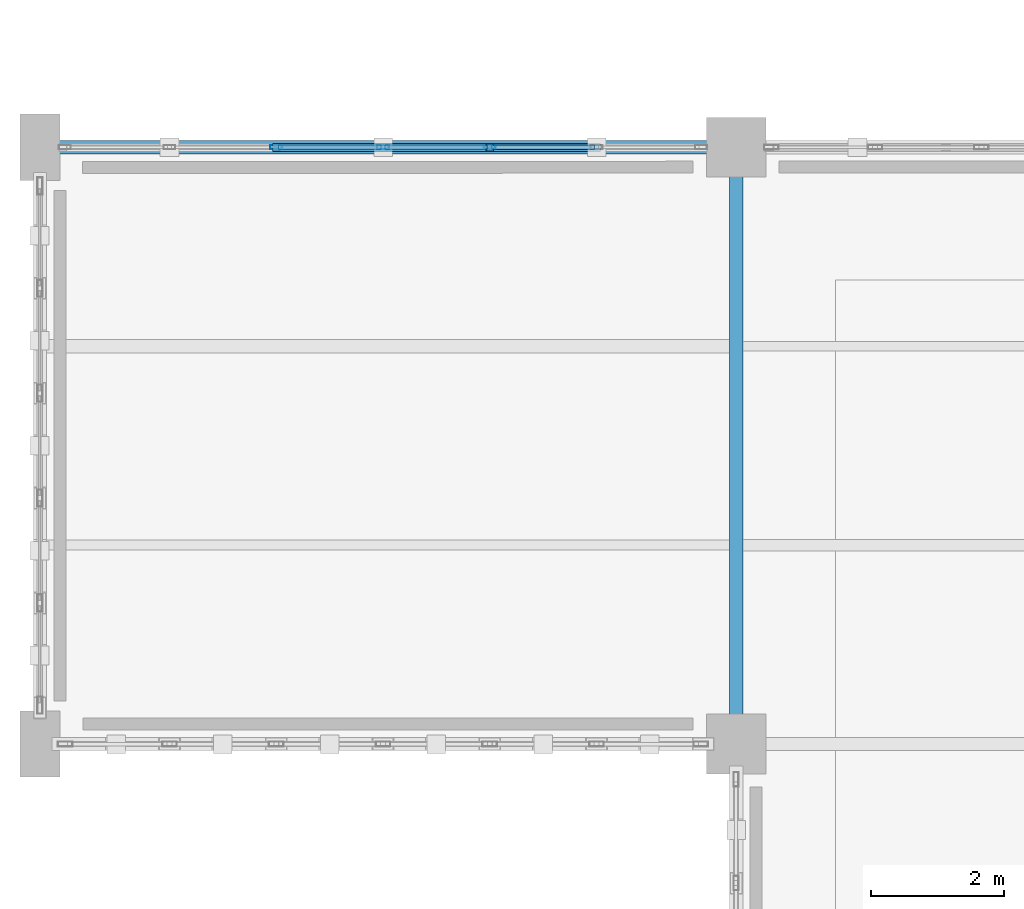
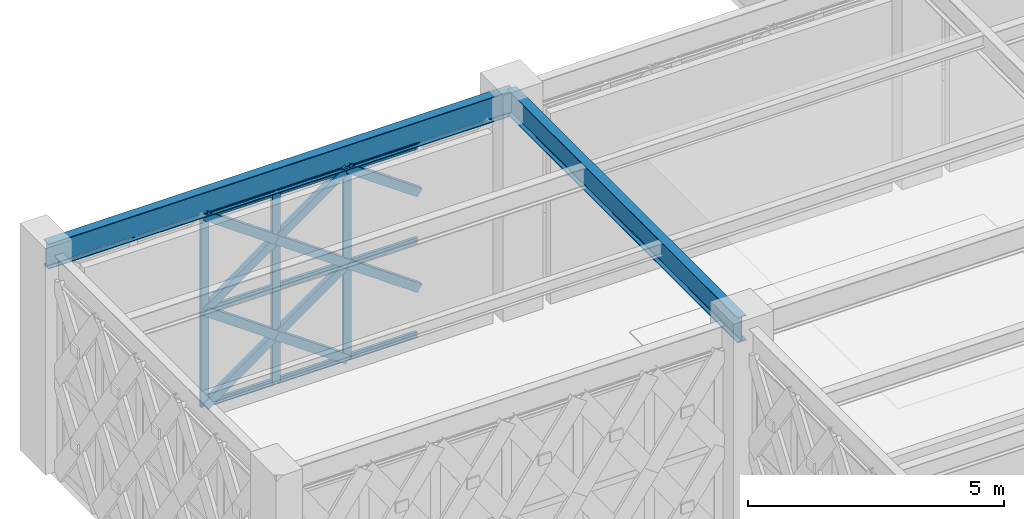
# One storey, part 21 of 155: 20 members, 2 beams, 1 element without a shape of its own.
"""IFC4 building model written with IfcOpenShell, lengths in metres."""

import ifcopenshell
import ifcopenshell.guid

model = None  # the IFC model being written
_history = None  # IfcOwnerHistory: only IFC2X3 demands one
_inside = {}  # id of a spatial element -> (the spatial element, [elements in it])
_under = {}  # id of a project, library or spatial element -> (it, [spatial elements below it])
_declared = {}  # id of a project -> (the project, [libraries it declares])
_typed = {}  # id of a type object -> (the type object, [elements of that type])
_made_of = {}  # id of a material, layer set ... -> (it, [elements and type objects made of it])


def new_model(schema):
    """Start an empty IFC model of exactly this schema.

    Asked for "IFC4X3", IfcOpenShell would pick the latest addendum, in which some entities
    have other attributes; the version numbers below select the first issue.
    IFC2X3 requires an IfcOwnerHistory on every rooted entity: one is made here for all.
    """
    global model, _history
    if schema == "IFC4X3":
        model = ifcopenshell.file(schema_version=(4, 3, 0, 0))
    else:
        model = ifcopenshell.file(schema=schema)
    _inside.clear()
    _under.clear()
    _declared.clear()
    _typed.clear()
    _made_of.clear()
    _history = None
    if model.schema == "IFC2X3":
        org = make("IfcOrganization", Name="unknown")
        user = make(
            "IfcPersonAndOrganization",
            ThePerson=make("IfcPerson", FamilyName="unknown"),
            TheOrganization=org,
        )
        app = make(
            "IfcApplication",
            ApplicationDeveloper=org,
            Version="unknown",
            ApplicationFullName="unknown",
            ApplicationIdentifier="unknown",
        )
        _history = make(
            "IfcOwnerHistory",
            OwningUser=user,
            OwningApplication=app,
            ChangeAction="ADDED",
            CreationDate=0,
        )
    return model


def make(cls, **values):
    """One entity of the class cls with the attributes given. An attribute that is None is left unset."""
    return model.create_entity(
        cls, **{name: value for name, value in values.items() if value is not None}
    )


def rooted(cls, **values):
    """An entity with a GlobalId (a new one), such as an element, a storey or a relation."""
    return make(cls, GlobalId=ifcopenshell.guid.new(), OwnerHistory=_history, **values)


def si_unit(unit_type, name, prefix=None):
    """IfcSIUnit, for example si_unit("LENGTHUNIT", "METRE", prefix="MILLI")."""
    return make("IfcSIUnit", UnitType=unit_type, Prefix=prefix, Name=name)


def assignment(units):
    """IfcUnitAssignment: the units of a project."""
    return None if units is None else make("IfcUnitAssignment", Units=units)


def point(xyz):
    """IfcCartesianPoint."""
    return None if xyz is None else make("IfcCartesianPoint", Coordinates=xyz)


def direction(xyz):
    """IfcDirection."""
    return None if xyz is None else make("IfcDirection", DirectionRatios=xyz)


def frame(location, z_axis=None, x_axis=None):
    """IfcAxis2Placement3D, a coordinate frame: its origin and axes. An axis left out is left unset."""
    return make(
        "IfcAxis2Placement3D",
        Location=point(location),
        Axis=direction(z_axis),
        RefDirection=direction(x_axis),
    )


def frame_2d(location, x_axis=None):
    """IfcAxis2Placement2D, a coordinate frame in the plane: its origin and x axis."""
    return make(
        "IfcAxis2Placement2D", Location=point(location), RefDirection=direction(x_axis)
    )


def origin():
    """The frame at (0, 0, 0) with its axes left unset."""
    return frame((0.0, 0.0, 0.0))


def origin_2d():
    """The frame at (0, 0) in the plane with its x axis left unset."""
    return frame_2d((0.0, 0.0))


def place(relative_to, where):
    """IfcLocalPlacement: puts the frame where relative to a parent placement (None: the world)."""
    return make(
        "IfcLocalPlacement", PlacementRelTo=relative_to, RelativePlacement=where
    )


def context(
    kind, dimensions, precision=None, world=None, true_north=None, identifier=None
):
    """IfcGeometricRepresentationContext, for example the 3D "Model" context."""
    return make(
        "IfcGeometricRepresentationContext",
        ContextIdentifier=identifier,
        ContextType=kind,
        CoordinateSpaceDimension=dimensions,
        Precision=precision,
        WorldCoordinateSystem=world,
        TrueNorth=true_north,
    )


def subcontext(parent, identifier, kind, view, scale=None):
    """IfcGeometricRepresentationSubContext, for example "Body" below "Model"."""
    return make(
        "IfcGeometricRepresentationSubContext",
        ContextIdentifier=identifier,
        ContextType=kind,
        ParentContext=parent,
        TargetScale=scale,
        TargetView=view,
    )


def project(units=None, contexts=None):
    """IfcProject with its units and contexts."""
    return rooted(
        "IfcProject",
        Name="project",
        RepresentationContexts=contexts,
        UnitsInContext=assignment(units),
    )


def spatial(cls, under=None, at=None, **own):
    """A site, building, storey or space (cls), placed at a placement, below another one or the project."""
    s = rooted(cls, ObjectPlacement=at, **own)
    if under is not None:
        _under.setdefault(under.id(), (under, []))[1].append(s)
    return s


def profile(cls, at=None, kind="AREA", **sizes):
    """A parametric profile (cls). Its sizes go by their IFC names, for example OverallWidth=200.0."""
    return make(cls, ProfileType=kind, Position=at, **sizes)


def hollow_rectangle(**sizes):
    """IfcRectangleHollowProfileDef."""
    return profile("IfcRectangleHollowProfileDef", **sizes)


def i_section(**sizes):
    """IfcIShapeProfileDef."""
    return profile("IfcIShapeProfileDef", **sizes)


def extrude(swept, where, along, depth):
    """IfcExtrudedAreaSolid: the profile swept, set in the frame where, extruded along a direction by depth."""
    return make(
        "IfcExtrudedAreaSolid",
        SweptArea=swept,
        Position=where,
        ExtrudedDirection=direction(along),
        Depth=depth,
    )


def shape(context_of_items, identifier, shape_type, items):
    """IfcShapeRepresentation: the items that make up one representation, for example the "Body"."""
    return make(
        "IfcShapeRepresentation",
        ContextOfItems=context_of_items,
        RepresentationIdentifier=identifier,
        RepresentationType=shape_type,
        Items=items,
    )


def material(Name=None, Category=None):
    """IfcMaterial."""
    return make("IfcMaterial", Name=Name, Category=Category)


def material_profile(
    of_material, cross_section, Name=None, Category=None, Priority=None
):
    """IfcMaterialProfile: a cross section and its material."""
    return make(
        "IfcMaterialProfile",
        Name=Name,
        Material=of_material,
        Profile=cross_section,
        Priority=Priority,
        Category=Category,
    )


def profile_set(profiles, Name=None, composite=None):
    """IfcMaterialProfileSet."""
    return make(
        "IfcMaterialProfileSet",
        Name=Name,
        MaterialProfiles=profiles,
        CompositeProfile=composite,
    )


def made_of(thing, what):
    """Note that an element or type object is made of a material, layer set ...; save() writes the relation."""
    if what is not None:
        _made_of.setdefault(what.id(), (what, []))[1].append(thing)
    return thing


def type_object(cls, material=None, **own):
    """A type object (cls), such as IfcWallType, which elements share."""
    return made_of(rooted(cls, **own), material)


def element(
    cls,
    number,
    at=None,
    inside=None,
    cuts=None,
    type_object=None,
    material=None,
    context=None,
    identifier="Body",
    shape_type=None,
    held_by="IfcProductDefinitionShape",
    body=None,
    shapes=None,
    **own,
):
    """One element of the class cls, such as IfcWall. Its Tag is "e" and its number.

    at: its placement. inside: the storey or other place that contains it. cuts: it is an
    opening in that element (IfcRelVoidsElement). A single representation is given by context,
    identifier, shape_type and body (its items); several are given by shapes. held_by: the class
    of the entity that holds the representations. save() writes the other relations.
    """
    e = rooted(cls, Tag="e%d" % number, ObjectPlacement=at, **own)
    if body is not None:
        shapes = [shape(context, identifier, shape_type, body)]
    if shapes is not None:
        e.Representation = make(held_by, Representations=shapes)
    if inside is not None:
        _inside.setdefault(inside.id(), (inside, []))[1].append(e)
    if cuts is not None:
        rooted(
            "IfcRelVoidsElement", RelatingBuildingElement=cuts, RelatedOpeningElement=e
        )
    if type_object is not None:
        _typed.setdefault(type_object.id(), (type_object, []))[1].append(e)
    return made_of(e, material)


def aggregate(whole, parts):
    """IfcRelAggregates: a whole, such as a stair, and the parts it consists of."""
    return rooted("IfcRelAggregates", RelatingObject=whole, RelatedObjects=parts)


def save(model, path):
    """Write the relations noted so far, then the file.

    IfcRelAggregates (storeys below a building ...), IfcRelContainedInSpatialStructure (elements
    in a storey), IfcRelDefinesByType, IfcRelAssociatesMaterial and IfcRelDeclares: one each for
    every whole, place, type object, material and project.
    """
    for whole, parts in _under.values():
        aggregate(whole, parts)
    for where, things in _inside.values():
        rooted(
            "IfcRelContainedInSpatialStructure",
            RelatedElements=things,
            RelatingStructure=where,
        )
    for kind, things in _typed.values():
        rooted("IfcRelDefinesByType", RelatedObjects=things, RelatingType=kind)
    for what, things in _made_of.values():
        rooted("IfcRelAssociatesMaterial", RelatedObjects=things, RelatingMaterial=what)
    for by, libraries in _declared.values():
        rooted("IfcRelDeclares", RelatingContext=by, RelatedDefinitions=libraries)
    model.write(path)


model = new_model("IFC4")

# Units and contexts
model_context = context("Model", 3, precision=1e-05, world=origin(), true_north=direction((0.0, 1.0)))
body_context = subcontext(model_context, "Body", "Model", "MODEL_VIEW")
ifc_project = project(units=[si_unit("LENGTHUNIT", "METRE"), si_unit("AREAUNIT", "SQUARE_METRE"), si_unit("VOLUMEUNIT", "CUBIC_METRE"), si_unit("PLANEANGLEUNIT", "RADIAN"), si_unit("MASSUNIT", "GRAM", prefix="KILO")], contexts=[model_context])

# Site, building, storey
site_placement = place(None, origin())
site = spatial("IfcSite", under=ifc_project, at=site_placement, CompositionType="ELEMENT")
building_placement = place(site_placement, origin())
building = spatial("IfcBuilding", under=site, at=building_placement, Name="Haizhuo Lancet Aquarium", CompositionType="ELEMENT")
storey_placement = place(building_placement, frame((0.0, 0.0, 10.800048828125)))
storey = spatial("IfcBuildingStorey", under=building, at=storey_placement, Name="L02", CompositionType="ELEMENT", Elevation=10.800048828125)

# Beams
ifc_material_1 = material(Name="Steel S355", Category="steel")
ifc_material_profile_1 = material_profile(ifc_material_1, i_section(OverallWidth=0.199951171875, OverallDepth=0.60009765625, WebThickness=0.010986328125, FlangeThickness=0.01708984375, FilletRadius=0.02197265625, at=origin_2d()), Name="HN 600x200x11x17")
ifc_profile_set_1 = profile_set([ifc_material_profile_1], Name="Steel S355")
beam_type = type_object("IfcBeamType", Name="BM-ST-HN600", PredefinedType="BEAM", material=ifc_profile_set_1)
beam_1_placement = place(storey_placement, frame((-82.5, -9.0, 4.85986328125), z_axis=(1.0, 0.0, 0.0), x_axis=(0.0, 1.0, 0.0)))
element("IfcBeam", 1, at=beam_1_placement, inside=storey, type_object=beam_type, Name="L02 V6 primary girder BM-L02-V6-003", PredefinedType="BEAM", context=body_context, shape_type="SweptSolid", body=[
    extrude(i_section(OverallWidth=0.199951171875, OverallDepth=0.60009765625, WebThickness=0.010986328125, FlangeThickness=0.01708984375, FilletRadius=0.02197265625, at=origin_2d()), origin(), (0.0, 0.0, 1.0), 10.5),
])
beam_2_placement = place(storey_placement, frame((-72.0, -18.0, 4.85986328125), z_axis=(0.0, 1.0, 0.0), x_axis=(-1.0, 0.0, 0.0)))
element("IfcBeam", 2, at=beam_2_placement, inside=storey, type_object=beam_type, Name="L02 V6 primary girder BM-L02-V6-006", PredefinedType="BEAM", context=body_context, shape_type="SweptSolid", body=[
    extrude(i_section(OverallWidth=0.199951171875, OverallDepth=0.60009765625, WebThickness=0.010986328125, FlangeThickness=0.01708984375, FilletRadius=0.02197265625, at=origin_2d()), origin(), (0.0, 0.0, 1.0), 9.0),
])

# Curtain wall, members
ifc_material_2 = material(Name="Aluminium 6063-T6", Category="aluminium")
curtain_wall_type = type_object("IfcCurtainWallType", Name="CWO-9660x4560", PredefinedType="NOTDEFINED", material=ifc_material_2)
curtain_wall_placement = place(storey_placement, origin())
curtain_wall = element("IfcCurtainWall", 3, at=curtain_wall_placement, inside=storey, type_object=curtain_wall_type, Name="L02 curtain wall CW-V6-L02-214", PredefinedType="NOTDEFINED")
ifc_material_profile_2 = material_profile(ifc_material_2, hollow_rectangle(XDim=0.06494140625, YDim=0.179931640625, WallThickness=0.00390625, at=origin_2d()), Name="ALU-M 65x180x4")
ifc_profile_set_2 = profile_set([ifc_material_profile_2], Name="Aluminium 6063-T6")
member_type_1 = type_object("IfcMemberType", Name="CW-MUL-1", PredefinedType="MULLION", material=ifc_profile_set_2)
member_1_placement = place(storey_placement, frame((-78.93505859375, -9.0, 0.0), z_axis=(0.0, 0.0, 1.0), x_axis=(0.0, 1.0, 0.0)))
member_1 = element("IfcMember", 4, at=member_1_placement, type_object=member_type_1, Name="CWO-96x45 mullion 3", PredefinedType="MULLION", context=body_context, shape_type="SweptSolid", body=[
    extrude(hollow_rectangle(XDim=0.06494140625, YDim=0.179931640625, WallThickness=0.00390625, at=origin_2d()), origin(), (0.0, 0.0, 1.0), 4.56005859375),
])
member_2_placement = place(storey_placement, frame((-77.324951171875, -9.0, 0.0), z_axis=(0.0, 0.0, 1.0), x_axis=(0.0, 1.0, 0.0)))
member_2 = element("IfcMember", 5, at=member_2_placement, type_object=member_type_1, Name="CWO-96x45 mullion 4", PredefinedType="MULLION", context=body_context, shape_type="SweptSolid", body=[
    extrude(hollow_rectangle(XDim=0.06494140625, YDim=0.179931640625, WallThickness=0.00390625, at=origin_2d()), origin(), (0.0, 0.0, 1.0), 4.56005859375),
])
member_3_placement = place(storey_placement, frame((-75.715087890625, -9.0, 0.0), z_axis=(0.0, 0.0, 1.0), x_axis=(0.0, 1.0, 0.0)))
member_3 = element("IfcMember", 6, at=member_3_placement, type_object=member_type_1, Name="CWO-96x45 mullion 5", PredefinedType="MULLION", context=body_context, shape_type="SweptSolid", body=[
    extrude(hollow_rectangle(XDim=0.06494140625, YDim=0.179931640625, WallThickness=0.00390625, at=origin_2d()), origin(), (0.0, 0.0, 1.0), 4.56005859375),
])
ifc_material_profile_3 = material_profile(ifc_material_2, hollow_rectangle(XDim=0.06494140625, YDim=0.139892578125, WallThickness=0.00390625, at=origin_2d()), Name="ALU-T 65x140x4")
ifc_profile_set_3 = profile_set([ifc_material_profile_3], Name="Aluminium 6063-T6")
member_type_2 = type_object("IfcMemberType", Name="CW-TRN-1", PredefinedType="NOTDEFINED", material=ifc_profile_set_3)
member_4_placement = place(storey_placement, frame((-78.903076171875, -9.0, 0.032958984375), z_axis=(1.0, 0.0, 0.0), x_axis=(0.0, 1.0, 0.0)))
member_4 = element("IfcMember", 7, at=member_4_placement, type_object=member_type_2, Name="CWO-96x45 transom 3.1", ObjectType="TRANSOM", PredefinedType="USERDEFINED", context=body_context, shape_type="SweptSolid", body=[
    extrude(hollow_rectangle(XDim=0.06494140625, YDim=0.139892578125, WallThickness=0.00390625, at=origin_2d()), origin(), (0.0, 0.0, 1.0), 1.545166015625),
])
member_5_placement = place(storey_placement, frame((-78.903076171875, -9.0, 2.280029296875), z_axis=(1.0, 0.0, 0.0), x_axis=(0.0, 1.0, 0.0)))
member_5 = element("IfcMember", 8, at=member_5_placement, type_object=member_type_2, Name="CWO-96x45 transom 3.2", ObjectType="TRANSOM", PredefinedType="USERDEFINED", context=body_context, shape_type="SweptSolid", body=[
    extrude(hollow_rectangle(XDim=0.06494140625, YDim=0.139892578125, WallThickness=0.00390625, at=origin_2d()), origin(), (0.0, 0.0, 1.0), 1.545166015625),
])
member_6_placement = place(storey_placement, frame((-78.903076171875, -9.0, 4.52685546875), z_axis=(1.0, 0.0, 0.0), x_axis=(0.0, 1.0, 0.0)))
member_6 = element("IfcMember", 9, at=member_6_placement, type_object=member_type_2, Name="CWO-96x45 transom 3.3", ObjectType="TRANSOM", PredefinedType="USERDEFINED", context=body_context, shape_type="SweptSolid", body=[
    extrude(hollow_rectangle(XDim=0.06494140625, YDim=0.139892578125, WallThickness=0.00390625, at=origin_2d()), origin(), (0.0, 0.0, 1.0), 1.545166015625),
])
member_7_placement = place(storey_placement, frame((-77.29296875, -9.0, 0.032958984375), z_axis=(1.0, 0.0, 0.0), x_axis=(0.0, 1.0, 0.0)))
member_7 = element("IfcMember", 10, at=member_7_placement, type_object=member_type_2, Name="CWO-96x45 transom 4.1", ObjectType="TRANSOM", PredefinedType="USERDEFINED", context=body_context, shape_type="SweptSolid", body=[
    extrude(hollow_rectangle(XDim=0.06494140625, YDim=0.139892578125, WallThickness=0.00390625, at=origin_2d()), origin(), (0.0, 0.0, 1.0), 1.544921875),
])
member_8_placement = place(storey_placement, frame((-77.29296875, -9.0, 2.280029296875), z_axis=(1.0, 0.0, 0.0), x_axis=(0.0, 1.0, 0.0)))
member_8 = element("IfcMember", 11, at=member_8_placement, type_object=member_type_2, Name="CWO-96x45 transom 4.2", ObjectType="TRANSOM", PredefinedType="USERDEFINED", context=body_context, shape_type="SweptSolid", body=[
    extrude(hollow_rectangle(XDim=0.06494140625, YDim=0.139892578125, WallThickness=0.00390625, at=origin_2d()), origin(), (0.0, 0.0, 1.0), 1.544921875),
])
member_9_placement = place(storey_placement, frame((-77.29296875, -9.0, 4.52685546875), z_axis=(1.0, 0.0, 0.0), x_axis=(0.0, 1.0, 0.0)))
member_9 = element("IfcMember", 12, at=member_9_placement, type_object=member_type_2, Name="CWO-96x45 transom 4.3", ObjectType="TRANSOM", PredefinedType="USERDEFINED", context=body_context, shape_type="SweptSolid", body=[
    extrude(hollow_rectangle(XDim=0.06494140625, YDim=0.139892578125, WallThickness=0.00390625, at=origin_2d()), origin(), (0.0, 0.0, 1.0), 1.544921875),
])
member_10_placement = place(storey_placement, frame((-75.68310546875, -9.0, 0.032958984375), z_axis=(1.0, 0.0, 0.0), x_axis=(0.0, 1.0, 0.0)))
member_10 = element("IfcMember", 13, at=member_10_placement, type_object=member_type_2, Name="CWO-96x45 transom 5.1", ObjectType="TRANSOM", PredefinedType="USERDEFINED", context=body_context, shape_type="SweptSolid", body=[
    extrude(hollow_rectangle(XDim=0.06494140625, YDim=0.139892578125, WallThickness=0.00390625, at=origin_2d()), origin(), (0.0, 0.0, 1.0), 1.545166015625),
])
member_11_placement = place(storey_placement, frame((-75.68310546875, -9.0, 2.280029296875), z_axis=(1.0, 0.0, 0.0), x_axis=(0.0, 1.0, 0.0)))
member_11 = element("IfcMember", 14, at=member_11_placement, type_object=member_type_2, Name="CWO-96x45 transom 5.2", ObjectType="TRANSOM", PredefinedType="USERDEFINED", context=body_context, shape_type="SweptSolid", body=[
    extrude(hollow_rectangle(XDim=0.06494140625, YDim=0.139892578125, WallThickness=0.00390625, at=origin_2d()), origin(), (0.0, 0.0, 1.0), 1.545166015625),
])
member_12_placement = place(storey_placement, frame((-75.68310546875, -9.0, 4.52685546875), z_axis=(1.0, 0.0, 0.0), x_axis=(0.0, 1.0, 0.0)))
member_12 = element("IfcMember", 15, at=member_12_placement, type_object=member_type_2, Name="CWO-96x45 transom 5.3", ObjectType="TRANSOM", PredefinedType="USERDEFINED", context=body_context, shape_type="SweptSolid", body=[
    extrude(hollow_rectangle(XDim=0.06494140625, YDim=0.139892578125, WallThickness=0.00390625, at=origin_2d()), origin(), (0.0, 0.0, 1.0), 1.545166015625),
])
aggregate(curtain_wall, [member_1, member_2, member_3, member_4, member_5, member_6, member_7, member_8, member_9, member_10, member_11, member_12])

# Members
ifc_material_profile_4 = material_profile(ifc_material_1, hollow_rectangle(XDim=0.1201171875, YDim=0.199951171875, WallThickness=0.008056640625, at=origin_2d()), Name="RHS 120x200x8")
ifc_profile_set_4 = profile_set([ifc_material_profile_4], Name="Steel S355")
member_type_3 = type_object("IfcMemberType", Name="MEM-LB-RHS120x200", PredefinedType="BRACE", material=ifc_profile_set_4)
member_13_placement = place(storey_placement, frame((-78.93505859375, -9.0, 0.0), z_axis=(0.816118111101, 0.0, 0.577885134549), x_axis=(0.0, 1.0, 0.0)))
element("IfcMember", 16, at=member_13_placement, inside=storey, type_object=member_type_3, Name="Gothic lancet continuous diagonal brace CW-V6-L02-214 3A", PredefinedType="BRACE", context=body_context, shape_type="SweptSolid", body=[
    extrude(hollow_rectangle(XDim=0.1201171875, YDim=0.199951171875, WallThickness=0.008056640625, at=origin_2d()), origin(), (0.0, 0.0, 1.0), 3.945556640625),
])
member_14_placement = place(storey_placement, frame((-75.715087890625, -9.0, 0.0), z_axis=(-0.816126630667, 0.0, 0.577873102606), x_axis=(0.0, -1.0, 0.0)))
element("IfcMember", 17, at=member_14_placement, inside=storey, type_object=member_type_3, Name="Gothic lancet split diagonal brace CW-V6-L02-214 3B1", PredefinedType="BRACE", context=body_context, shape_type="SweptSolid", body=[
    extrude(hollow_rectangle(XDim=0.1201171875, YDim=0.199951171875, WallThickness=0.008056640625, at=origin_2d()), origin(), (0.0, 0.0, 1.0), 1.97265625),
])
member_15_placement = place(storey_placement, frame((-77.324951171875, -9.0, 1.139892578125), z_axis=(-0.816109592827, 0.0, 0.577897164291), x_axis=(0.0, -1.0, 0.0)))
element("IfcMember", 18, at=member_15_placement, inside=storey, type_object=member_type_3, Name="Gothic lancet split diagonal brace CW-V6-L02-214 3B2", PredefinedType="BRACE", context=body_context, shape_type="SweptSolid", body=[
    extrude(hollow_rectangle(XDim=0.1201171875, YDim=0.199951171875, WallThickness=0.008056640625, at=origin_2d()), origin(), (0.0, 0.0, 1.0), 1.972900390625),
])
member_16_placement = place(storey_placement, frame((-78.93505859375, -9.0, 2.280029296875), z_axis=(0.816118111101, 0.0, 0.577885134549), x_axis=(0.0, 1.0, 0.0)))
element("IfcMember", 19, at=member_16_placement, inside=storey, type_object=member_type_3, Name="Gothic lancet continuous diagonal brace CW-V6-L02-214 4A", PredefinedType="BRACE", context=body_context, shape_type="SweptSolid", body=[
    extrude(hollow_rectangle(XDim=0.1201171875, YDim=0.199951171875, WallThickness=0.008056640625, at=origin_2d()), origin(), (0.0, 0.0, 1.0), 3.945556640625),
])
member_17_placement = place(storey_placement, frame((-75.715087890625, -9.0, 2.280029296875), z_axis=(-0.816126630667, 0.0, 0.577873102606), x_axis=(0.0, -1.0, 0.0)))
element("IfcMember", 20, at=member_17_placement, inside=storey, type_object=member_type_3, Name="Gothic lancet split diagonal brace CW-V6-L02-214 4B1", PredefinedType="BRACE", context=body_context, shape_type="SweptSolid", body=[
    extrude(hollow_rectangle(XDim=0.1201171875, YDim=0.199951171875, WallThickness=0.008056640625, at=origin_2d()), origin(), (0.0, 0.0, 1.0), 1.97265625),
])
for number, where, z_axis, x_axis, name in (
    (21, (-77.324951171875, -9.0, 3.419921875), (-0.816109592827, 0.0, 0.577897164291), (0.0, -1.0, 0.0), "Gothic lancet split diagonal brace CW-V6-L02-214 4B2"),
    (22, (-74.10498046875, -9.0, 1.139892578125), (-0.816109592827, 0.0, 0.577897164291), (0.0, -1.0, 0.0), "Gothic lancet split diagonal brace CW-V6-L02-214 5B2"),
    (23, (-74.10498046875, -9.0, 3.419921875), (-0.816109592827, 0.0, 0.577897164291), (0.0, -1.0, 0.0), "Gothic lancet split diagonal brace CW-V6-L02-214 6B2"),
):
    element("IfcMember", number, at=place(storey_placement, frame(where, z_axis=z_axis, x_axis=x_axis)), inside=storey, type_object=member_type_3, Name=name, PredefinedType="BRACE", context=body_context, shape_type="SweptSolid", body=[
        extrude(hollow_rectangle(XDim=0.1201171875, YDim=0.199951171875, WallThickness=0.008056640625, at=origin_2d()), origin(), (0.0, 0.0, 1.0), 1.972900390625),
    ])

save(model, "model.ifc")
